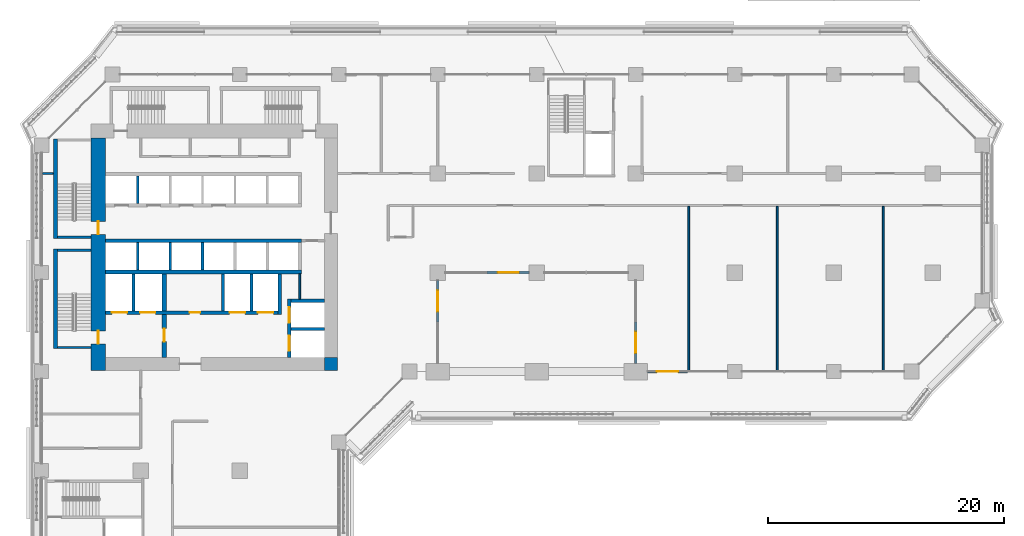
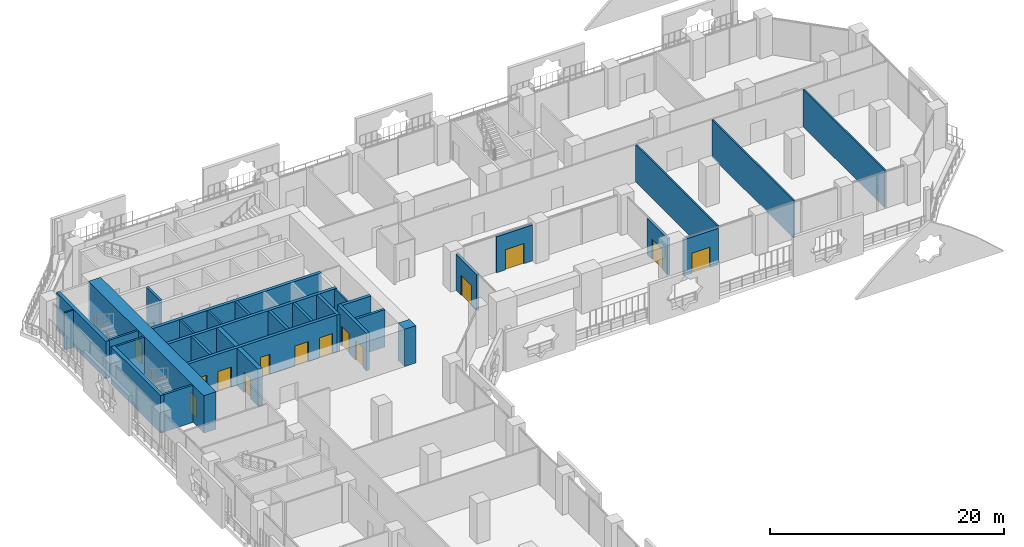
# One storey, part 14 of 27: 32 walls, 14 doors, 14 openings.
"""IFC4 building model written with IfcOpenShell, lengths in metres."""

from ifc_helpers import new_model, si_unit, direction, frame, frame_2d, origin, place, context, subcontext, project, spatial, rectangle, extrude, material, layer, layer_set, type_object, element, fill, save


model = new_model("IFC4")

# Units and contexts
model_context = context("Model", 3, precision=1e-05, world=origin(), true_north=direction((0.0, 1.0)))
body_context = subcontext(model_context, "Body", "Model", "MODEL_VIEW")
ifc_project = project(units=[si_unit("LENGTHUNIT", "METRE"), si_unit("AREAUNIT", "SQUARE_METRE"), si_unit("VOLUMEUNIT", "CUBIC_METRE"), si_unit("PLANEANGLEUNIT", "RADIAN"), si_unit("MASSUNIT", "GRAM", prefix="KILO")], contexts=[model_context])

# Site, building, storey
site_placement = place(None, origin())
site = spatial("IfcSite", under=ifc_project, at=site_placement, CompositionType="ELEMENT")
building_placement = place(site_placement, origin())
building = spatial("IfcBuilding", under=site, at=building_placement, Name="Kawkab Arch Medical Tower", CompositionType="ELEMENT")
storey_placement = place(building_placement, frame((0.0, 0.0, 39.199951171875)))
storey = spatial("IfcBuildingStorey", under=building, at=storey_placement, Name="L08", CompositionType="ELEMENT", Elevation=39.199951171875)

# Wall
ifc_material_1 = material(Name="Concrete C60/75", Category="concrete")
ifc_layer_1 = layer(ifc_material_1, 1.10009765625)
ifc_layer_set_1 = layer_set([ifc_layer_1], Name="Concrete C60/75")
wall_type_1 = type_object("IfcWallType", Name="Core ring wall 1100 C60/75", PredefinedType="SHEAR", material=ifc_layer_set_1)
wall_1_placement = place(storey_placement, frame((24.550048828125, -25.10009765625, 0.0), z_axis=(0.0, 0.0, 1.0), x_axis=(0.0, 1.0, 0.0)))
element("IfcWall", 1, at=wall_1_placement, inside=storey, type_object=wall_type_1, Name="L08 core wall", PredefinedType="SHEAR", context=body_context, shape_type="SweptSolid", body=[
    extrude(rectangle(XDim=1.10009765625, YDim=1.10009765625, at=frame_2d((0.550048828125, 0.0))), origin(), (0.0, 0.0, 1.0), 3.900146484375),
])

# Wall, openings, doors
ifc_material_2 = material(Name="Concrete C60/75", Category="concrete")
ifc_layer_2 = layer(ifc_material_2, 1.199951171875)
ifc_layer_set_2 = layer_set([ifc_layer_2], Name="Concrete C60/75")
wall_type_2 = type_object("IfcWallType", Name="Core ring wall 1200 C60/75", PredefinedType="SHEAR", material=ifc_layer_set_2)
wall_2_placement = place(storey_placement, frame((4.800048828125, -25.10009765625, 0.0), z_axis=(0.0, 0.0, 1.0), x_axis=(0.0, 1.0, 0.0)))
wall_2 = element("IfcWall", 2, at=wall_2_placement, inside=storey, type_object=wall_type_2, Name="L08 core wall", PredefinedType="SHEAR", context=body_context, shape_type="SweptSolid", body=[
    extrude(rectangle(XDim=19.7001953125, YDim=1.199951171875, at=frame_2d((9.85009765625, 0.0))), origin(), (0.0, 0.0, 1.0), 3.900146484375),
])
opening_1_placement = place(wall_2_placement, frame((11.550048828125, 0.0, 0.0)))
opening_1 = element("IfcOpeningElement", 3, at=opening_1_placement, cuts=wall_2, Name="Opening SD", PredefinedType="OPENING", context=body_context, shape_type="SweptSolid", body=[
    extrude(rectangle(XDim=1.10009765625, YDim=2.10009765625, at=frame_2d((0.550048828125, 1.050048828125))), frame((0.0, 0.60986328125, 0.0), z_axis=(0.0, -1.0, 0.0), x_axis=(1.0, 0.0, 0.0)), (0.0, 0.0, 1.0), 1.219970703125),
])
opening_2_placement = place(wall_2_placement, frame((2.25, 0.0, 0.0)))
opening_2 = element("IfcOpeningElement", 4, at=opening_2_placement, cuts=wall_2, Name="Opening SD", PredefinedType="OPENING", context=body_context, shape_type="SweptSolid", body=[
    extrude(rectangle(XDim=1.10009765625, YDim=2.10009765625, at=frame_2d((0.550048828125, 1.050048828125))), frame((0.0, 0.60986328125, 0.0), z_axis=(0.0, -1.0, 0.0), x_axis=(1.0, 0.0, 0.0)), (0.0, 0.0, 1.0), 1.219970703125),
])
ifc_material_3 = material(Name="Hollow metal fire door leaf")
door_type_1 = type_object("IfcDoorType", Name="Exit stair door 1100", OperationType="SINGLE_SWING_LEFT", PredefinedType="DOOR", material=ifc_material_3)
door_1_placement = place(opening_1_placement, origin())
door_1 = element("IfcDoor", 5, at=door_1_placement, inside=storey, type_object=door_type_1, Name="L08 Exit stair ST1 door", OperationType="SINGLE_SWING_LEFT", OverallHeight=2.10009765625, OverallWidth=1.10009765625, PredefinedType="DOOR", context=body_context, shape_type="SweptSolid", body=[
    extrude(rectangle(XDim=1.10009765625, YDim=2.10009765625, at=frame_2d((0.550048828125, 1.050048828125))), frame((0.0, 0.02490234375, 0.0), z_axis=(0.0, -1.0, 0.0), x_axis=(1.0, 0.0, 0.0)), (0.0, 0.0, 1.0), 0.050048828125),
])
fill(opening_1, door_1)
door_2_placement = place(opening_2_placement, origin())
door_2 = element("IfcDoor", 6, at=door_2_placement, inside=storey, type_object=door_type_1, Name="L08 Exit stair ST2 door", OperationType="SINGLE_SWING_LEFT", OverallHeight=2.10009765625, OverallWidth=1.10009765625, PredefinedType="DOOR", context=body_context, shape_type="SweptSolid", body=[
    extrude(rectangle(XDim=1.10009765625, YDim=2.10009765625, at=frame_2d((0.550048828125, 1.050048828125))), frame((0.0, 0.02490234375, 0.0), z_axis=(0.0, -1.0, 0.0), x_axis=(1.0, 0.0, 0.0)), (0.0, 0.0, 1.0), 0.050048828125),
])
fill(opening_2, door_2)

# Walls
ifc_material_4 = material(Name="Gypsum board on steel studs", Category="steel")
ifc_layer_3 = layer(ifc_material_4, 0.14990234375)
ifc_layer_set_3 = layer_set([ifc_layer_3], Name="Gypsum board on steel studs")
wall_type_3 = type_object("IfcWallType", Name="Core room partition 150", PredefinedType="PARTITIONING", material=ifc_layer_set_3)
wall_3_placement = place(storey_placement, frame((21.89990234375, -19.050048828125, 0.0), z_axis=(0.0, 0.0, 1.0), x_axis=(0.0, 1.0, 0.0)))
element("IfcWall", 7, at=wall_3_placement, inside=storey, type_object=wall_type_3, Name="L08 core room partition", PredefinedType="PARTITIONING", context=body_context, shape_type="SweptSolid", body=[
    extrude(rectangle(XDim=2.150146484375, YDim=0.14990234375, at=frame_2d((1.0751953125, 0.0))), origin(), (0.0, 0.0, 1.0), 3.900146484375),
])
ifc_material_5 = material(Name="Concrete C60/75", Category="concrete")
ifc_layer_4 = layer(ifc_material_5, 0.25)
ifc_layer_set_4 = layer_set([ifc_layer_4], Name="Concrete C60/75")
wall_type_4 = type_object("IfcWallType", Name="Core shear wall 250 C60/75", PredefinedType="SHEAR", material=ifc_layer_set_4)
wall_4_placement = place(storey_placement, frame((21.14990234375, -21.60009765625, 0.0), z_axis=(0.0, 0.0, 1.0), x_axis=(1.0, 0.0, 0.0)))
element("IfcWall", 8, at=wall_4_placement, inside=storey, type_object=wall_type_4, Name="L08 core shear wall", PredefinedType="SHEAR", context=body_context, shape_type="SweptSolid", body=[
    extrude(rectangle(XDim=2.85009765625, YDim=0.25, at=frame_2d((1.425048828125, 0.0))), origin(), (0.0, 0.0, 1.0), 3.900146484375),
])
for number, where, z_axis, x_axis, name in (
    (9, (7.800048828125, -20.050048828125, 0.0), (0.0, 0.0, 1.0), (0.0, 1.0, 0.0), "L08 core shear wall"),
    (10, (15.39990234375, -20.050048828125, 0.0), (0.0, 0.0, 1.0), (0.0, 1.0, 0.0), "L08 core shear wall"),
    (11, (17.800048828125, -20.050048828125, 0.0), (0.0, 0.0, 1.0), (0.0, 1.0, 0.0), "L08 core shear wall"),
):
    element("IfcWall", number, at=place(storey_placement, frame(where, z_axis=z_axis, x_axis=x_axis)), inside=storey, type_object=wall_type_4, Name=name, PredefinedType="SHEAR", context=body_context, shape_type="SweptSolid", body=[
        extrude(rectangle(XDim=3.150146484375, YDim=0.25, at=frame_2d((1.5751953125, 0.0))), origin(), (0.0, 0.0, 1.0), 3.900146484375),
    ])
wall_5_placement = place(storey_placement, frame((13.64990234375, -16.60009765625, 0.0), z_axis=(0.0, 0.0, 1.0), x_axis=(0.0, 1.0, 0.0)))
element("IfcWall", 12, at=wall_5_placement, inside=storey, type_object=wall_type_4, Name="L08 core shear wall", PredefinedType="SHEAR", context=body_context, shape_type="SweptSolid", body=[
    extrude(rectangle(XDim=2.35009765625, YDim=0.25, at=frame_2d((1.175048828125, 0.0))), origin(), (0.0, 0.0, 1.0), 3.900146484375),
])
ifc_material_6 = material(Name="Concrete C60/75", Category="concrete")
ifc_layer_5 = layer(ifc_material_6, 0.300048828125)
ifc_layer_set_5 = layer_set([ifc_layer_5], Name="Concrete C60/75")
wall_type_5 = type_object("IfcWallType", Name="Core shear wall 300 C60/75", PredefinedType="SHEAR", material=ifc_layer_set_5)
for number, where, z_axis, x_axis, name in (
    (13, (5.39990234375, -14.10009765625, 0.0), (0.0, 0.0, 1.0), (1.0, 0.0, 0.0), "L08 core shear wall"),
    (14, (5.39990234375, -16.75, 0.0), (0.0, 0.0, 1.0), (1.0, 0.0, 0.0), "L08 core shear wall"),
):
    element("IfcWall", number, at=place(storey_placement, frame(where, z_axis=z_axis, x_axis=x_axis)), inside=storey, type_object=wall_type_5, Name=name, PredefinedType="SHEAR", context=body_context, shape_type="SweptSolid", body=[
        extrude(rectangle(XDim=16.650146484375, YDim=0.300048828125, at=frame_2d((8.3251953125, 0.0))), origin(), (0.0, 0.0, 1.0), 3.900146484375),
    ])

# Wall, openings, doors
wall_6_placement = place(storey_placement, frame((5.39990234375, -20.199951171875, 0.0), z_axis=(0.0, 0.0, 1.0), x_axis=(1.0, 0.0, 0.0)))
wall_6 = element("IfcWall", 15, at=wall_6_placement, inside=storey, type_object=wall_type_5, Name="L08 core shear wall", PredefinedType="SHEAR", context=body_context, shape_type="SweptSolid", body=[
    extrude(rectangle(XDim=14.650146484375, YDim=0.300048828125, at=frame_2d((7.3251953125, 0.0))), origin(), (0.0, 0.0, 1.0), 3.900146484375),
])
opening_3_placement = place(wall_6_placement, frame((10.550048828125, 0.0, 0.0)))
opening_3 = element("IfcOpeningElement", 16, at=opening_3_placement, cuts=wall_6, Name="Opening LD2", PredefinedType="OPENING", context=body_context, shape_type="SweptSolid", body=[
    extrude(rectangle(XDim=1.300048828125, YDim=2.10009765625, at=frame_2d((0.64990234375, 1.050048828125))), frame((0.0, 0.159912109375, 0.0), z_axis=(0.0, -1.0, 0.0), x_axis=(1.0, 0.0, 0.0)), (0.0, 0.0, 1.0), 0.320068359375),
])
opening_4_placement = place(wall_6_placement, frame((12.949951171875, 0.0, 0.0)))
opening_4 = element("IfcOpeningElement", 17, at=opening_4_placement, cuts=wall_6, Name="Opening LD2", PredefinedType="OPENING", context=body_context, shape_type="SweptSolid", body=[
    extrude(rectangle(XDim=1.300048828125, YDim=2.10009765625, at=frame_2d((0.64990234375, 1.050048828125))), frame((0.0, 0.159912109375, 0.0), z_axis=(0.0, -1.0, 0.0), x_axis=(1.0, 0.0, 0.0)), (0.0, 0.0, 1.0), 0.320068359375),
])
opening_5_placement = place(wall_6_placement, frame((0.550048828125, 0.0, 0.0)))
opening_5 = element("IfcOpeningElement", 18, at=opening_5_placement, cuts=wall_6, Name="Opening LD2", PredefinedType="OPENING", context=body_context, shape_type="SweptSolid", body=[
    extrude(rectangle(XDim=1.300048828125, YDim=2.10009765625, at=frame_2d((0.64990234375, 1.050048828125))), frame((0.0, 0.159912109375, 0.0), z_axis=(0.0, -1.0, 0.0), x_axis=(1.0, 0.0, 0.0)), (0.0, 0.0, 1.0), 0.320068359375),
])
opening_6_placement = place(wall_6_placement, frame((2.949951171875, 0.0, 0.0)))
opening_6 = element("IfcOpeningElement", 19, at=opening_6_placement, cuts=wall_6, Name="Opening LD2", PredefinedType="OPENING", context=body_context, shape_type="SweptSolid", body=[
    extrude(rectangle(XDim=1.300048828125, YDim=2.10009765625, at=frame_2d((0.64990234375, 1.050048828125))), frame((0.0, 0.159912109375, 0.0), z_axis=(0.0, -1.0, 0.0), x_axis=(1.0, 0.0, 0.0)), (0.0, 0.0, 1.0), 0.320068359375),
])
opening_7_placement = place(wall_6_placement, frame((7.14990234375, 0.0, 0.0)))
opening_7 = element("IfcOpeningElement", 20, at=opening_7_placement, cuts=wall_6, Name="Opening RD", PredefinedType="OPENING", context=body_context, shape_type="SweptSolid", body=[
    extrude(rectangle(XDim=0.89990234375, YDim=2.10009765625, at=frame_2d((0.449951171875, 1.050048828125))), frame((0.0, 0.159912109375, 0.0), z_axis=(0.0, -1.0, 0.0), x_axis=(1.0, 0.0, 0.0)), (0.0, 0.0, 1.0), 0.320068359375),
])
ifc_material_7 = material(Name="Hollow metal fire door leaf")
door_type_2 = type_object("IfcDoorType", Name="Core room door 900", OperationType="SINGLE_SWING_LEFT", PredefinedType="DOOR", material=ifc_material_7)
door_3_placement = place(opening_7_placement, origin())
door_3 = element("IfcDoor", 21, at=door_3_placement, inside=storey, type_object=door_type_2, Name="L08 General store door", OperationType="SINGLE_SWING_LEFT", OverallHeight=2.10009765625, OverallWidth=0.89990234375, PredefinedType="DOOR", context=body_context, shape_type="SweptSolid", body=[
    extrude(rectangle(XDim=0.89990234375, YDim=2.10009765625, at=frame_2d((0.449951171875, 1.050048828125))), frame((0.0, 0.02490234375, 0.0), z_axis=(0.0, -1.0, 0.0), x_axis=(1.0, 0.0, 0.0)), (0.0, 0.0, 1.0), 0.050048828125),
])
fill(opening_7, door_3)
ifc_material_8 = material(Name="Stainless steel lift door leaf", Category="steel")
door_type_3 = type_object("IfcDoorType", Name="Lift landing door 1300", OperationType="DOUBLE_DOOR_SLIDING", PredefinedType="DOOR", material=ifc_material_8)
door_4_placement = place(opening_3_placement, origin())
door_4 = element("IfcDoor", 22, at=door_4_placement, inside=storey, type_object=door_type_3, Name="L08 Lift landing door BD3", OperationType="DOUBLE_DOOR_SLIDING", OverallHeight=2.10009765625, OverallWidth=1.300048828125, PredefinedType="DOOR", context=body_context, shape_type="SweptSolid", body=[
    extrude(rectangle(XDim=1.300048828125, YDim=2.10009765625, at=frame_2d((0.64990234375, 1.050048828125))), frame((0.0, 0.02490234375, 0.0), z_axis=(0.0, -1.0, 0.0), x_axis=(1.0, 0.0, 0.0)), (0.0, 0.0, 1.0), 0.050048828125),
])
fill(opening_3, door_4)
door_5_placement = place(opening_4_placement, origin())
door_5 = element("IfcDoor", 23, at=door_5_placement, inside=storey, type_object=door_type_3, Name="L08 Lift landing door BD4", OperationType="DOUBLE_DOOR_SLIDING", OverallHeight=2.10009765625, OverallWidth=1.300048828125, PredefinedType="DOOR", context=body_context, shape_type="SweptSolid", body=[
    extrude(rectangle(XDim=1.300048828125, YDim=2.10009765625, at=frame_2d((0.64990234375, 1.050048828125))), frame((0.0, 0.02490234375, 0.0), z_axis=(0.0, -1.0, 0.0), x_axis=(1.0, 0.0, 0.0)), (0.0, 0.0, 1.0), 0.050048828125),
])
fill(opening_4, door_5)
door_6_placement = place(opening_5_placement, origin())
door_6 = element("IfcDoor", 24, at=door_6_placement, inside=storey, type_object=door_type_3, Name="L08 Lift landing door FL1", OperationType="DOUBLE_DOOR_SLIDING", OverallHeight=2.10009765625, OverallWidth=1.300048828125, PredefinedType="DOOR", context=body_context, shape_type="SweptSolid", body=[
    extrude(rectangle(XDim=1.300048828125, YDim=2.10009765625, at=frame_2d((0.64990234375, 1.050048828125))), frame((0.0, 0.02490234375, 0.0), z_axis=(0.0, -1.0, 0.0), x_axis=(1.0, 0.0, 0.0)), (0.0, 0.0, 1.0), 0.050048828125),
])
fill(opening_5, door_6)
door_7_placement = place(opening_6_placement, origin())
door_7 = element("IfcDoor", 25, at=door_7_placement, inside=storey, type_object=door_type_3, Name="L08 Lift landing door FL2", OperationType="DOUBLE_DOOR_SLIDING", OverallHeight=2.10009765625, OverallWidth=1.300048828125, PredefinedType="DOOR", context=body_context, shape_type="SweptSolid", body=[
    extrude(rectangle(XDim=1.300048828125, YDim=2.10009765625, at=frame_2d((0.64990234375, 1.050048828125))), frame((0.0, 0.02490234375, 0.0), z_axis=(0.0, -1.0, 0.0), x_axis=(1.0, 0.0, 0.0)), (0.0, 0.0, 1.0), 0.050048828125),
])
fill(opening_6, door_7)

# Walls
wall_7_placement = place(storey_placement, frame((20.199951171875, -20.35009765625, 0.0), z_axis=(0.0, 0.0, 1.0), x_axis=(0.0, 1.0, 0.0)))
element("IfcWall", 26, at=wall_7_placement, inside=storey, type_object=wall_type_5, Name="L08 core shear wall", PredefinedType="SHEAR", context=body_context, shape_type="SweptSolid", body=[
    extrude(rectangle(XDim=3.4501953125, YDim=0.300048828125, at=frame_2d((1.72509765625, 0.0))), origin(), (0.0, 0.0, 1.0), 3.900146484375),
])
wall_8_placement = place(storey_placement, frame((21.14990234375, -19.199951171875, 0.0), z_axis=(0.0, 0.0, 1.0), x_axis=(1.0, 0.0, 0.0)))
element("IfcWall", 27, at=wall_8_placement, inside=storey, type_object=wall_type_5, Name="L08 core shear wall", PredefinedType="SHEAR", context=body_context, shape_type="SweptSolid", body=[
    extrude(rectangle(XDim=2.85009765625, YDim=0.300048828125, at=frame_2d((1.425048828125, 0.0))), origin(), (0.0, 0.0, 1.0), 3.900146484375),
])

# Wall, openings, doors
wall_9_placement = place(storey_placement, frame((21.0, -24.0, 0.0), z_axis=(0.0, 0.0, 1.0), x_axis=(0.0, 1.0, 0.0)))
wall_9 = element("IfcWall", 28, at=wall_9_placement, inside=storey, type_object=wall_type_5, Name="L08 core shear wall", PredefinedType="SHEAR", context=body_context, shape_type="SweptSolid", body=[
    extrude(rectangle(XDim=4.949951171875, YDim=0.300048828125, at=frame_2d((2.47509765625, 0.0))), origin(), (0.0, 0.0, 1.0), 3.900146484375),
])
opening_8_placement = place(wall_9_placement, frame((2.949951171875, 0.0, 0.0)))
opening_8 = element("IfcOpeningElement", 29, at=opening_8_placement, cuts=wall_9, Name="Opening LD2", PredefinedType="OPENING", context=body_context, shape_type="SweptSolid", body=[
    extrude(rectangle(XDim=1.300048828125, YDim=2.10009765625, at=frame_2d((0.64990234375, 1.050048828125))), frame((0.0, 0.159912109375, 0.0), z_axis=(0.0, -1.0, 0.0), x_axis=(1.0, 0.0, 0.0)), (0.0, 0.0, 1.0), 0.320068359375),
])
opening_9_placement = place(wall_9_placement, frame((0.550048828125, 0.0, 0.0)))
opening_9 = element("IfcOpeningElement", 30, at=opening_9_placement, cuts=wall_9, Name="Opening LD2", PredefinedType="OPENING", context=body_context, shape_type="SweptSolid", body=[
    extrude(rectangle(XDim=1.300048828125, YDim=2.10009765625, at=frame_2d((0.64990234375, 1.050048828125))), frame((0.0, 0.159912109375, 0.0), z_axis=(0.0, -1.0, 0.0), x_axis=(1.0, 0.0, 0.0)), (0.0, 0.0, 1.0), 0.320068359375),
])
door_8_placement = place(opening_8_placement, origin())
door_8 = element("IfcDoor", 31, at=door_8_placement, inside=storey, type_object=door_type_3, Name="L08 Lift landing door BD1", OperationType="DOUBLE_DOOR_SLIDING", OverallHeight=2.10009765625, OverallWidth=1.300048828125, PredefinedType="DOOR", context=body_context, shape_type="SweptSolid", body=[
    extrude(rectangle(XDim=1.300048828125, YDim=2.10009765625, at=frame_2d((0.64990234375, 1.050048828125))), frame((0.0, 0.02490234375, 0.0), z_axis=(0.0, -1.0, 0.0), x_axis=(1.0, 0.0, 0.0)), (0.0, 0.0, 1.0), 0.050048828125),
])
fill(opening_8, door_8)
door_9_placement = place(opening_9_placement, origin())
door_9 = element("IfcDoor", 32, at=door_9_placement, inside=storey, type_object=door_type_3, Name="L08 Lift landing door BD2", OperationType="DOUBLE_DOOR_SLIDING", OverallHeight=2.10009765625, OverallWidth=1.300048828125, PredefinedType="DOOR", context=body_context, shape_type="SweptSolid", body=[
    extrude(rectangle(XDim=1.300048828125, YDim=2.10009765625, at=frame_2d((0.64990234375, 1.050048828125))), frame((0.0, 0.02490234375, 0.0), z_axis=(0.0, -1.0, 0.0), x_axis=(1.0, 0.0, 0.0)), (0.0, 0.0, 1.0), 0.050048828125),
])
fill(opening_9, door_9)

# Wall, opening, door
ifc_material_9 = material(Name="Concrete C60/75", Category="concrete")
ifc_layer_6 = layer(ifc_material_9, 0.39990234375)
ifc_layer_set_6 = layer_set([ifc_layer_6], Name="Concrete C60/75")
wall_type_6 = type_object("IfcWallType", Name="Core shear wall 400 C60/75", PredefinedType="SHEAR", material=ifc_layer_set_6)
wall_10_placement = place(storey_placement, frame((10.39990234375, -24.0, 0.0), z_axis=(0.0, 0.0, 1.0), x_axis=(0.0, 1.0, 0.0)))
wall_10 = element("IfcWall", 33, at=wall_10_placement, inside=storey, type_object=wall_type_6, Name="L08 core shear wall", PredefinedType="SHEAR", context=body_context, shape_type="SweptSolid", body=[
    extrude(rectangle(XDim=3.64990234375, YDim=0.39990234375, at=frame_2d((1.824951171875, 0.0))), origin(), (0.0, 0.0, 1.0), 3.900146484375),
])
opening_10_placement = place(wall_10_placement, frame((1.35009765625, 0.0, 0.0)))
opening_10 = element("IfcOpeningElement", 34, at=opening_10_placement, cuts=wall_10, Name="Opening FD", PredefinedType="OPENING", context=body_context, shape_type="SweptSolid", body=[
    extrude(rectangle(XDim=1.10009765625, YDim=2.10009765625, at=frame_2d((0.550048828125, 1.050048828125))), frame((0.0, 0.2099609375, 0.0), z_axis=(0.0, -1.0, 0.0), x_axis=(1.0, 0.0, 0.0)), (0.0, 0.0, 1.0), 0.419921875),
])
ifc_material_10 = material(Name="Hollow metal fire door leaf")
door_type_4 = type_object("IfcDoorType", Name="Firefighting lobby door 1100", OperationType="SINGLE_SWING_LEFT", PredefinedType="DOOR", material=ifc_material_10)
door_10_placement = place(opening_10_placement, origin())
door_10 = element("IfcDoor", 35, at=door_10_placement, inside=storey, type_object=door_type_4, Name="L08 Firefighting lobby door", OperationType="SINGLE_SWING_LEFT", OverallHeight=2.10009765625, OverallWidth=1.10009765625, PredefinedType="DOOR", context=body_context, shape_type="SweptSolid", body=[
    extrude(rectangle(XDim=1.10009765625, YDim=2.10009765625, at=frame_2d((0.550048828125, 1.050048828125))), frame((0.0, 0.02490234375, 0.0), z_axis=(0.0, -1.0, 0.0), x_axis=(1.0, 0.0, 0.0)), (0.0, 0.0, 1.0), 0.050048828125),
])
fill(opening_10, door_10)

# Wall
wall_11_placement = place(storey_placement, frame((10.39990234375, -20.050048828125, 0.0), z_axis=(0.0, 0.0, 1.0), x_axis=(0.0, 1.0, 0.0)))
element("IfcWall", 36, at=wall_11_placement, inside=storey, type_object=wall_type_6, Name="L08 core shear wall", PredefinedType="SHEAR", context=body_context, shape_type="SweptSolid", body=[
    extrude(rectangle(XDim=3.150146484375, YDim=0.39990234375, at=frame_2d((1.5751953125, 0.0))), origin(), (0.0, 0.0, 1.0), 3.900146484375),
])

# Wall, opening, door
ifc_material_11 = material(Name="Bronze clad insulated wall panel")
ifc_layer_7 = layer(ifc_material_11, 0.25)
ifc_layer_set_7 = layer_set([ifc_layer_7], Name="Bronze clad insulated wall panel")
wall_type_7 = type_object("IfcWallType", Name="External wall bay 250", PredefinedType="SOLIDWALL", material=ifc_layer_set_7)
wall_12_placement = place(storey_placement, frame((33.60009765625, -20.97509765625, 0.0), z_axis=(0.0, 0.0, 1.0), x_axis=(0.0, 1.0, 0.0)))
wall_12 = element("IfcWall", 37, at=wall_12_placement, inside=storey, type_object=wall_type_7, Name="External wall bay L08.R02.1.2", PredefinedType="SOLIDWALL", context=body_context, shape_type="SweptSolid", body=[
    extrude(rectangle(XDim=3.525146484375, YDim=0.25, at=frame_2d((1.7626953125, 0.0))), origin(), (0.0, 0.0, 1.0), 3.760009765625),
])
opening_11_placement = place(wall_12_placement, frame((0.862548828125, 0.0, 0.0)))
opening_11 = element("IfcOpeningElement", 38, at=opening_11_placement, cuts=wall_12, Name="Opening B08-701", PredefinedType="OPENING", context=body_context, shape_type="SweptSolid", body=[
    extrude(rectangle(XDim=1.800048828125, YDim=2.10009765625, at=frame_2d((0.89990234375, 1.050048828125))), frame((0.0, 0.135009765625, 0.0), z_axis=(0.0, -1.0, 0.0), x_axis=(1.0, 0.0, 0.0)), (0.0, 0.0, 1.0), 0.27001953125),
])
ifc_material_12 = material(Name="Bronze anodised aluminium door with tinted glass", Category="aluminium")
door_type_5 = type_object("IfcDoorType", Name="Double external door 1800 x 2100", OperationType="DOUBLE_DOOR_SINGLE_SWING", PredefinedType="DOOR", material=ifc_material_12)
door_11_placement = place(opening_11_placement, origin())
door_11 = element("IfcDoor", 39, at=door_11_placement, inside=storey, type_object=door_type_5, Name="External door L08.R02.1.2", OperationType="DOUBLE_DOOR_SINGLE_SWING", OverallHeight=2.10009765625, OverallWidth=1.800048828125, PredefinedType="DOOR", context=body_context, shape_type="SweptSolid", body=[
    extrude(rectangle(XDim=1.800048828125, YDim=2.10009765625, at=frame_2d((0.89990234375, 1.050048828125))), frame((0.0, 0.02490234375, 0.0), z_axis=(0.0, -1.0, 0.0), x_axis=(1.0, 0.0, 0.0)), (0.0, 0.0, 1.0), 0.050048828125),
])
fill(opening_11, door_11)

wall_13_placement = place(storey_placement, frame((37.800048828125, -16.800048828125, 0.0), z_axis=(0.0, 0.0, 1.0), x_axis=(1.0, 0.0, 0.0)))
wall_13 = element("IfcWall", 40, at=wall_13_placement, inside=storey, type_object=wall_type_7, Name="External wall bay L08.R03.1.2", PredefinedType="SOLIDWALL", context=body_context, shape_type="SweptSolid", body=[
    extrude(rectangle(XDim=3.550048828125, YDim=0.25, at=frame_2d((1.77490234375, 0.0))), origin(), (0.0, 0.0, 1.0), 3.760009765625),
])
opening_12_placement = place(wall_13_placement, frame((0.875, 0.0, 0.0)))
opening_12 = element("IfcOpeningElement", 41, at=opening_12_placement, cuts=wall_13, Name="Opening B08-701", PredefinedType="OPENING", context=body_context, shape_type="SweptSolid", body=[
    extrude(rectangle(XDim=1.800048828125, YDim=2.10009765625, at=frame_2d((0.89990234375, 1.050048828125))), frame((0.0, 0.135009765625, 0.0), z_axis=(0.0, -1.0, 0.0), x_axis=(1.0, 0.0, 0.0)), (0.0, 0.0, 1.0), 0.27001953125),
])
door_12_placement = place(opening_12_placement, origin())
door_12 = element("IfcDoor", 42, at=door_12_placement, inside=storey, type_object=door_type_5, Name="External door L08.R03.1.2", OperationType="DOUBLE_DOOR_SINGLE_SWING", OverallHeight=2.10009765625, OverallWidth=1.800048828125, PredefinedType="DOOR", context=body_context, shape_type="SweptSolid", body=[
    extrude(rectangle(XDim=1.800048828125, YDim=2.10009765625, at=frame_2d((0.89990234375, 1.050048828125))), frame((0.0, 0.02490234375, 0.0), z_axis=(0.0, -1.0, 0.0), x_axis=(1.0, 0.0, 0.0)), (0.0, 0.0, 1.0), 0.050048828125),
])
fill(opening_12, door_12)

wall_14_placement = place(storey_placement, frame((50.39990234375, -20.97509765625, 0.0), z_axis=(0.0, 0.0, 1.0), x_axis=(0.0, -1.0, 0.0)))
wall_14 = element("IfcWall", 43, at=wall_14_placement, inside=storey, type_object=wall_type_7, Name="External wall bay L08.R04.1.2", PredefinedType="SOLIDWALL", context=body_context, shape_type="SweptSolid", body=[
    extrude(rectangle(XDim=3.52490234375, YDim=0.25, at=frame_2d((1.762451171875, 0.0))), origin(), (0.0, 0.0, 1.0), 3.760009765625),
])
opening_13_placement = place(wall_14_placement, frame((0.862548828125, 0.0, 0.0)))
opening_13 = element("IfcOpeningElement", 44, at=opening_13_placement, cuts=wall_14, Name="Opening B08-701", PredefinedType="OPENING", context=body_context, shape_type="SweptSolid", body=[
    extrude(rectangle(XDim=1.800048828125, YDim=2.10009765625, at=frame_2d((0.89990234375, 1.050048828125))), frame((0.0, 0.135009765625, 0.0), z_axis=(0.0, -1.0, 0.0), x_axis=(1.0, 0.0, 0.0)), (0.0, 0.0, 1.0), 0.27001953125),
])
door_13_placement = place(opening_13_placement, origin())
door_13 = element("IfcDoor", 45, at=door_13_placement, inside=storey, type_object=door_type_5, Name="External door L08.R04.1.2", OperationType="DOUBLE_DOOR_SINGLE_SWING", OverallHeight=2.10009765625, OverallWidth=1.800048828125, PredefinedType="DOOR", context=body_context, shape_type="SweptSolid", body=[
    extrude(rectangle(XDim=1.800048828125, YDim=2.10009765625, at=frame_2d((0.89990234375, 1.050048828125))), frame((0.0, 0.02490234375, 0.0), z_axis=(0.0, -1.0, 0.0), x_axis=(1.0, 0.0, 0.0)), (0.0, 0.0, 1.0), 0.050048828125),
])
fill(opening_13, door_13)

wall_15_placement = place(storey_placement, frame((51.39990234375, -25.199951171875, 0.0), z_axis=(0.0, 0.0, 1.0), x_axis=(1.0, 0.0, 0.0)))
wall_15 = element("IfcWall", 46, at=wall_15_placement, inside=storey, type_object=wall_type_7, Name="External wall bay L08.R05.1.1", PredefinedType="SOLIDWALL", context=body_context, shape_type="SweptSolid", body=[
    extrude(rectangle(XDim=3.400146484375, YDim=0.25, at=frame_2d((1.7001953125, 0.0))), origin(), (0.0, 0.0, 1.0), 3.780029296875),
])
opening_14_placement = place(wall_15_placement, frame((0.800048828125, 0.0, 0.0)))
opening_14 = element("IfcOpeningElement", 47, at=opening_14_placement, cuts=wall_15, Name="Opening B08-701", PredefinedType="OPENING", context=body_context, shape_type="SweptSolid", body=[
    extrude(rectangle(XDim=1.800048828125, YDim=2.10009765625, at=frame_2d((0.89990234375, 1.050048828125))), frame((0.0, 0.135009765625, 0.0), z_axis=(0.0, -1.0, 0.0), x_axis=(1.0, 0.0, 0.0)), (0.0, 0.0, 1.0), 0.27001953125),
])
door_14_placement = place(opening_14_placement, origin())
door_14 = element("IfcDoor", 48, at=door_14_placement, inside=storey, type_object=door_type_5, Name="External door L08.R05.1.1", OperationType="DOUBLE_DOOR_SINGLE_SWING", OverallHeight=2.10009765625, OverallWidth=1.800048828125, PredefinedType="DOOR", context=body_context, shape_type="SweptSolid", body=[
    extrude(rectangle(XDim=1.800048828125, YDim=2.10009765625, at=frame_2d((0.89990234375, 1.050048828125))), frame((0.0, 0.02490234375, 0.0), z_axis=(0.0, -1.0, 0.0), x_axis=(1.0, 0.0, 0.0)), (0.0, 0.0, 1.0), 0.050048828125),
])
fill(opening_14, door_14)

# Walls
ifc_material_13 = material(Name="Dense concrete blockwork", Category="masonry")
ifc_layer_8 = layer(ifc_material_13, 0.199951171875)
ifc_layer_set_8 = layer_set([ifc_layer_8], Name="Dense concrete blockwork")
wall_type_8 = type_object("IfcWallType", Name="Lift shaft partition 200", PredefinedType="PARTITIONING", material=ifc_layer_set_8)
wall_16_placement = place(storey_placement, frame((8.14990234375, -10.949951171875, 0.0), z_axis=(0.0, 0.0, 1.0), x_axis=(0.0, 1.0, 0.0)))
element("IfcWall", 49, at=wall_16_placement, inside=storey, type_object=wall_type_8, Name="L08 lift shaft partition", PredefinedType="PARTITIONING", context=body_context, shape_type="SweptSolid", body=[
    extrude(rectangle(XDim=2.349853515625, YDim=0.199951171875, at=frame_2d((1.1748046875, 0.0))), origin(), (0.0, 0.0, 1.0), 3.900146484375),
])
for number, where, z_axis, x_axis, name in (
    (50, (8.14990234375, -16.60009765625, 0.0), (0.0, 0.0, 1.0), (0.0, 1.0, 0.0), "L08 lift shaft partition"),
    (51, (10.89990234375, -16.60009765625, 0.0), (0.0, 0.0, 1.0), (0.0, 1.0, 0.0), "L08 lift shaft partition"),
):
    element("IfcWall", number, at=place(storey_placement, frame(where, z_axis=z_axis, x_axis=x_axis)), inside=storey, type_object=wall_type_8, Name=name, PredefinedType="PARTITIONING", context=body_context, shape_type="SweptSolid", body=[
        extrude(rectangle(XDim=2.35009765625, YDim=0.199951171875, at=frame_2d((1.175048828125, 0.0))), origin(), (0.0, 0.0, 1.0), 3.900146484375),
    ])
ifc_material_14 = material(Name="Gypsum board partition on steel studs, mineral wool", Category="steel")
ifc_layer_9 = layer(ifc_material_14, 0.14990234375)
ifc_layer_set_9 = layer_set([ifc_layer_9], Name="Gypsum board partition on steel studs, mineral wool")
wall_type_9 = type_object("IfcWallType", Name="Partition 150", PredefinedType="PARTITIONING", material=ifc_layer_set_9)
wall_17_placement = place(storey_placement, frame((0.080078125, -8.39990234375, 0.0), z_axis=(0.0, 0.0, 1.0), x_axis=(1.0, 0.0, 0.0)))
element("IfcWall", 52, at=wall_17_placement, inside=storey, type_object=wall_type_9, Name="Partition 150 w016", PredefinedType="PARTITIONING", context=body_context, shape_type="SweptSolid", body=[
    extrude(rectangle(XDim=0.889892578125, YDim=0.14990234375, at=frame_2d((0.44482421875, 0.0))), origin(), (0.0, 0.0, 1.0), 3.900146484375),
])
for number, where, z_axis, x_axis, name in (
    (53, (54.89990234375, -25.1201171875, 0.0), (0.0, 0.0, 1.0), (0.0, 1.0, 0.0), "Partition 150 w028"),
    (54, (62.39990234375, -25.1201171875, 0.0), (0.0, 0.0, 1.0), (0.0, 1.0, 0.0), "Partition 150 w029"),
    (55, (71.39990234375, -25.1201171875, 0.0), (0.0, 0.0, 1.0), (0.0, 1.0, 0.0), "Partition 150 w031"),
):
    element("IfcWall", number, at=place(storey_placement, frame(where, z_axis=z_axis, x_axis=x_axis)), inside=storey, type_object=wall_type_9, Name=name, PredefinedType="PARTITIONING", context=body_context, shape_type="SweptSolid", body=[
        extrude(rectangle(XDim=13.945068359375, YDim=0.14990234375, at=frame_2d((6.97265625, 0.0))), origin(), (0.0, 0.0, 1.0), 3.900146484375),
    ])
ifc_material_15 = material(Name="Concrete C50/60", Category="concrete")
ifc_layer_10 = layer(ifc_material_15, 0.199951171875)
ifc_layer_set_10 = layer_set([ifc_layer_10], Name="Concrete C50/60")
wall_type_10 = type_object("IfcWallType", Name="Stair enclosure wall 200 C50/60", PredefinedType="SHEAR", material=ifc_layer_set_10)
for number, where, z_axis, x_axis, name in (
    (56, (1.35009765625, -13.800048828125, 0.0), (0.0, 0.0, 1.0), (1.0, 0.0, 0.0), "L08 stair enclosure wall"),
    (57, (1.35009765625, -14.89990234375, 0.0), (0.0, 0.0, 1.0), (1.0, 0.0, 0.0), "L08 stair enclosure wall"),
    (58, (1.35009765625, -23.14990234375, 0.0), (0.0, 0.0, 1.0), (1.0, 0.0, 0.0), "L08 stair enclosure wall"),
):
    element("IfcWall", number, at=place(storey_placement, frame(where, z_axis=z_axis, x_axis=x_axis)), inside=storey, type_object=wall_type_10, Name=name, PredefinedType="SHEAR", context=body_context, shape_type="SweptSolid", body=[
        extrude(rectangle(XDim=2.849853515625, YDim=0.199951171875, at=frame_2d((1.4248046875, 0.0))), origin(), (0.0, 0.0, 1.0), 3.900146484375),
    ])
ifc_material_16 = material(Name="Concrete C50/60", Category="concrete")
ifc_layer_11 = layer(ifc_material_16, 0.35009765625)
ifc_layer_set_11 = layer_set([ifc_layer_11], Name="Concrete C50/60")
wall_type_11 = type_object("IfcWallType", Name="Stair enclosure wall 350 C50/60", PredefinedType="SHEAR", material=ifc_layer_set_11)
for number, where, z_axis, x_axis, name in (
    (59, (1.175048828125, -13.89990234375, 0.0), (0.0, 0.0, 1.0), (0.0, 1.0, 0.0), "L08 stair enclosure wall"),
    (60, (1.175048828125, -23.25, 0.0), (0.0, 0.0, 1.0), (0.0, 1.0, 0.0), "L08 stair enclosure wall"),
):
    element("IfcWall", number, at=place(storey_placement, frame(where, z_axis=z_axis, x_axis=x_axis)), inside=storey, type_object=wall_type_11, Name=name, PredefinedType="SHEAR", context=body_context, shape_type="SweptSolid", body=[
        extrude(rectangle(XDim=8.449951171875, YDim=0.35009765625, at=frame_2d((4.22509765625, 0.0))), origin(), (0.0, 0.0, 1.0), 3.900146484375),
    ])

save(model, "model.ifc")
